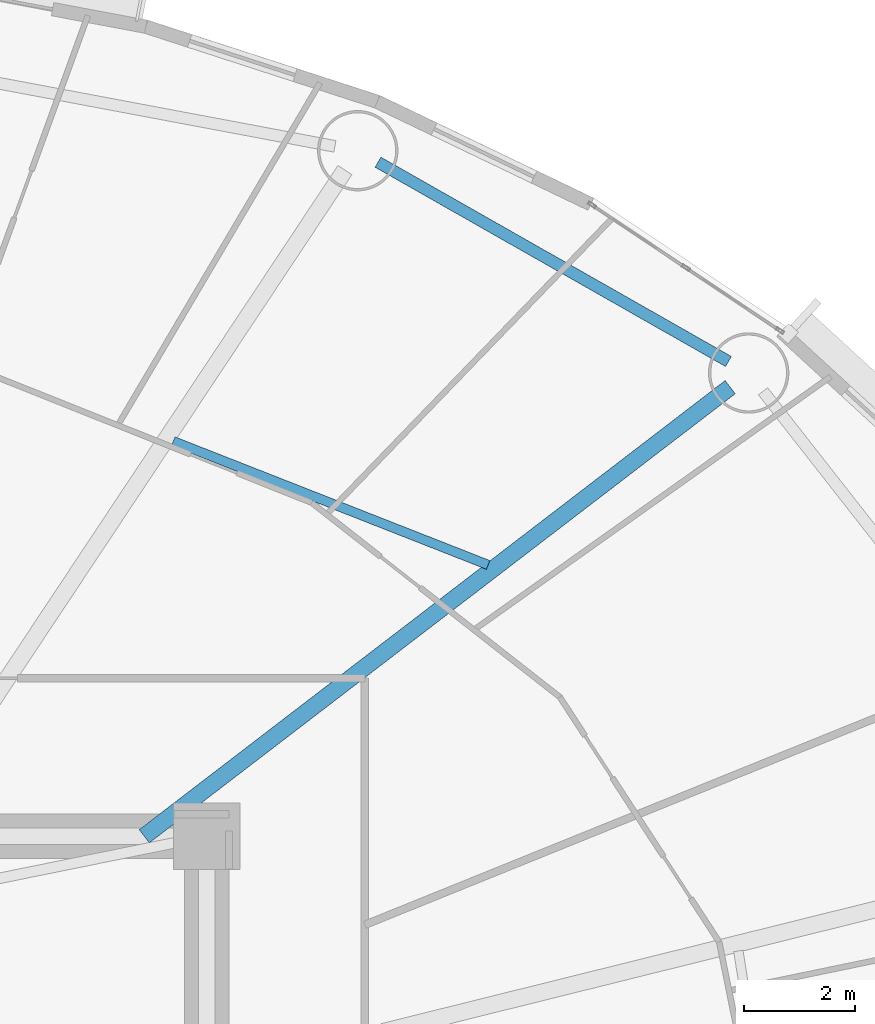
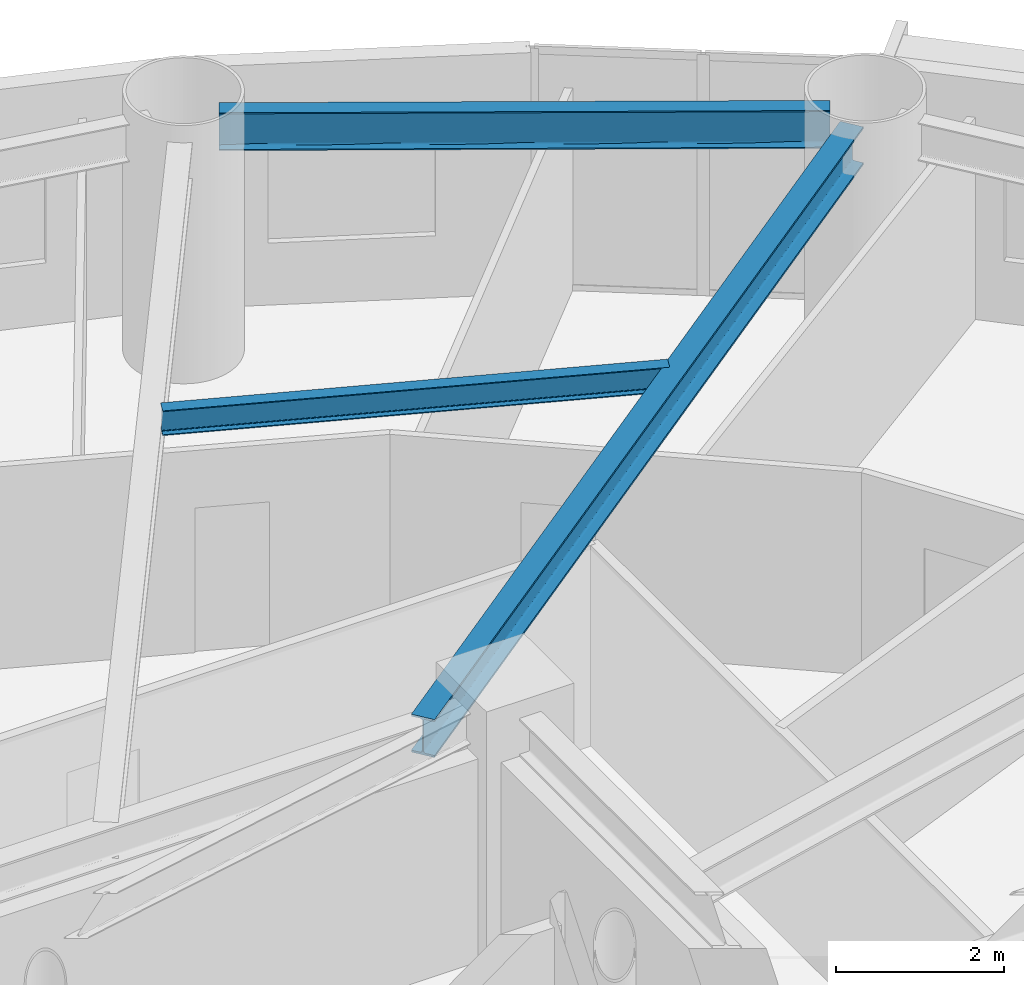
# One storey, part 4 of 20: 3 beams.
"""IFC4 building model written with IfcOpenShell, lengths in metres."""

from ifc_helpers import new_model, si_unit, direction, frame, origin, origin_2d, place, context, subcontext, project, spatial, i_section, extrude, material, material_profile, profile_set, type_object, element, save


model = new_model("IFC4")

# Units and contexts
model_context = context("Model", 3, precision=1e-05, world=origin(), true_north=direction((0.0, 1.0)))
body_context = subcontext(model_context, "Body", "Model", "MODEL_VIEW")
ifc_project = project(units=[si_unit("LENGTHUNIT", "METRE"), si_unit("AREAUNIT", "SQUARE_METRE"), si_unit("VOLUMEUNIT", "CUBIC_METRE"), si_unit("PLANEANGLEUNIT", "RADIAN"), si_unit("MASSUNIT", "GRAM", prefix="KILO")], contexts=[model_context])

# Site, building, storey
site_placement = place(None, origin())
site = spatial("IfcSite", under=ifc_project, at=site_placement, CompositionType="ELEMENT")
building_placement = place(site_placement, origin())
building = spatial("IfcBuilding", under=site, at=building_placement, Name="Linh Dai School and Residence Tower", CompositionType="ELEMENT")
storey_placement = place(building_placement, frame((0.0, 0.0, 127.199951171875)))
storey = spatial("IfcBuildingStorey", under=building, at=storey_placement, Name="L30", CompositionType="ELEMENT", Elevation=127.199951171875)

# Beams
ifc_material = material(Name="Structural Steel S355JR", Category="steel")
ifc_material_profile_1 = material_profile(ifc_material, i_section(OverallWidth=0.2099609375, OverallDepth=0.550048828125, WebThickness=0.010986328125, FlangeThickness=0.01708984375, FilletRadius=0.02392578125, at=origin_2d()), Name="IPE 550")
ifc_profile_set_1 = profile_set([ifc_material_profile_1], Name="Structural Steel S355JR")
beam_type_1 = type_object("IfcBeamType", Name="BM-RB55", PredefinedType="BEAM", material=ifc_profile_set_1)
beam_1_placement = place(storey_placement, frame((55.407470703125, 42.363037109375, 3.22509765625), z_axis=(-0.86927031475, 0.494337050902, 0.0), x_axis=(-0.494337050902, -0.86927031475, 0.0)))
element("IfcBeam", 1, at=beam_1_placement, inside=storey, type_object=beam_type_1, Name="L30 Perimeter Elliptical Ring Beam 03", PredefinedType="BEAM", context=body_context, shape_type="SweptSolid", body=[
    extrude(i_section(OverallWidth=0.2099609375, OverallDepth=0.550048828125, WebThickness=0.010986328125, FlangeThickness=0.01708984375, FilletRadius=0.02392578125, at=origin_2d()), origin(), (0.0, 0.0, 1.0), 7.270751953125),
])
ifc_material_profile_2 = material_profile(ifc_material, i_section(OverallWidth=0.300048828125, OverallDepth=0.550048828125, WebThickness=0.014892578125, FlangeThickness=0.029052734375, FilletRadius=0.027099609375, at=origin_2d()), Name="HEB 550")
ifc_profile_set_2 = profile_set([ifc_material_profile_2], Name="Structural Steel S355JR")
beam_type_2 = type_object("IfcBeamType", Name="BM-RG55", PredefinedType="BEAM", material=ifc_profile_set_2)
beam_2_placement = place(storey_placement, frame((44.87158203125, 33.800048828125, 3.22509765625), z_axis=(0.793678660795, 0.608337228352, 0.0), x_axis=(-0.608337228352, 0.793678660795, 0.0)))
element("IfcBeam", 2, at=beam_2_placement, inside=storey, type_object=beam_type_2, Name="L30 Primary Radial Floor Girder 03", PredefinedType="BEAM", context=body_context, shape_type="SweptSolid", body=[
    extrude(i_section(OverallWidth=0.300048828125, OverallDepth=0.550048828125, WebThickness=0.014892578125, FlangeThickness=0.029052734375, FilletRadius=0.027099609375, at=origin_2d()), origin(), (0.0, 0.0, 1.0), 13.314697265625),
])
ifc_material_profile_3 = material_profile(ifc_material, i_section(OverallWidth=0.169921875, OverallDepth=0.360107421875, WebThickness=0.008056640625, FlangeThickness=0.0126953125, FilletRadius=0.01806640625, at=origin_2d()), Name="IPE 360")
ifc_profile_set_3 = profile_set([ifc_material_profile_3], Name="Structural Steel S355JR")
beam_type_3 = type_object("IfcBeamType", Name="BM-SB36", PredefinedType="BEAM", material=ifc_profile_set_3)
beam_3_placement = place(storey_placement, frame((51.0732421875, 38.693603515625, 3.320068359375), z_axis=(-0.930755385045, 0.365642466365, 0.0), x_axis=(-0.365642466365, -0.930755385045, 0.0)))
element("IfcBeam", 3, at=beam_3_placement, inside=storey, type_object=beam_type_3, Name="L30 Secondary Circumferential Floor Beam 02", PredefinedType="BEAM", context=body_context, shape_type="SweptSolid", body=[
    extrude(i_section(OverallWidth=0.169921875, OverallDepth=0.360107421875, WebThickness=0.008056640625, FlangeThickness=0.0126953125, FilletRadius=0.01806640625, at=origin_2d()), origin(), (0.0, 0.0, 1.0), 6.10009765625),
])

save(model, "model.ifc")
